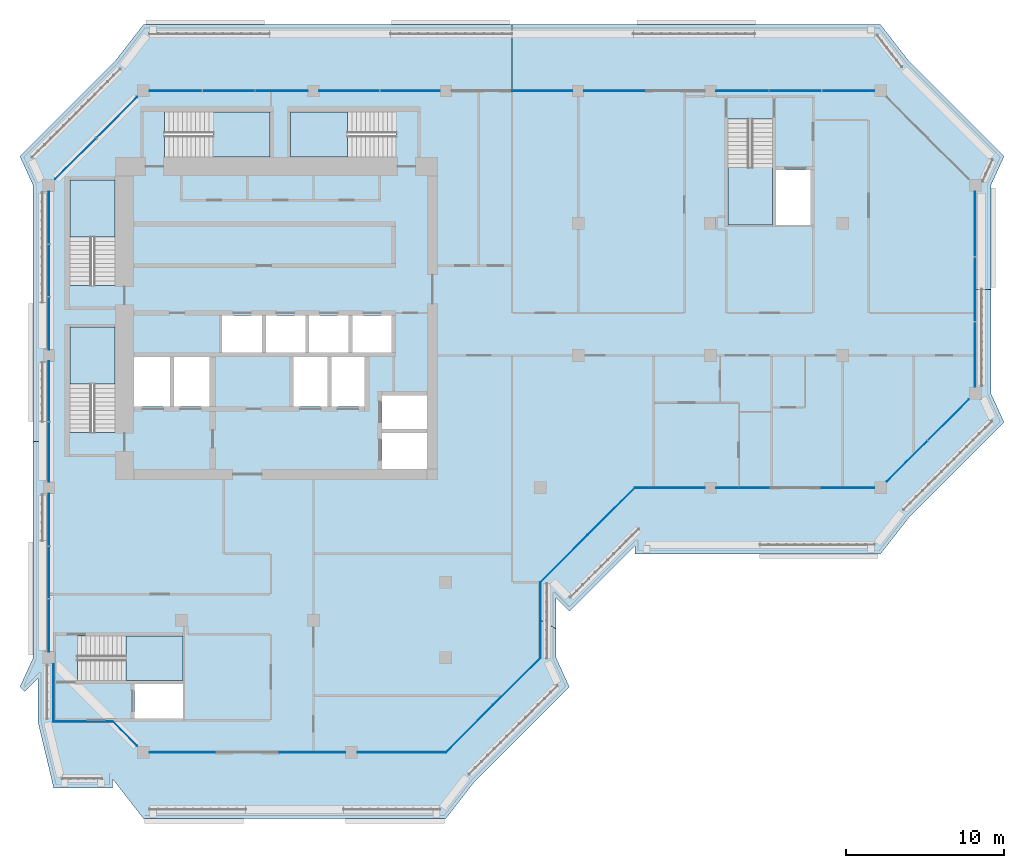
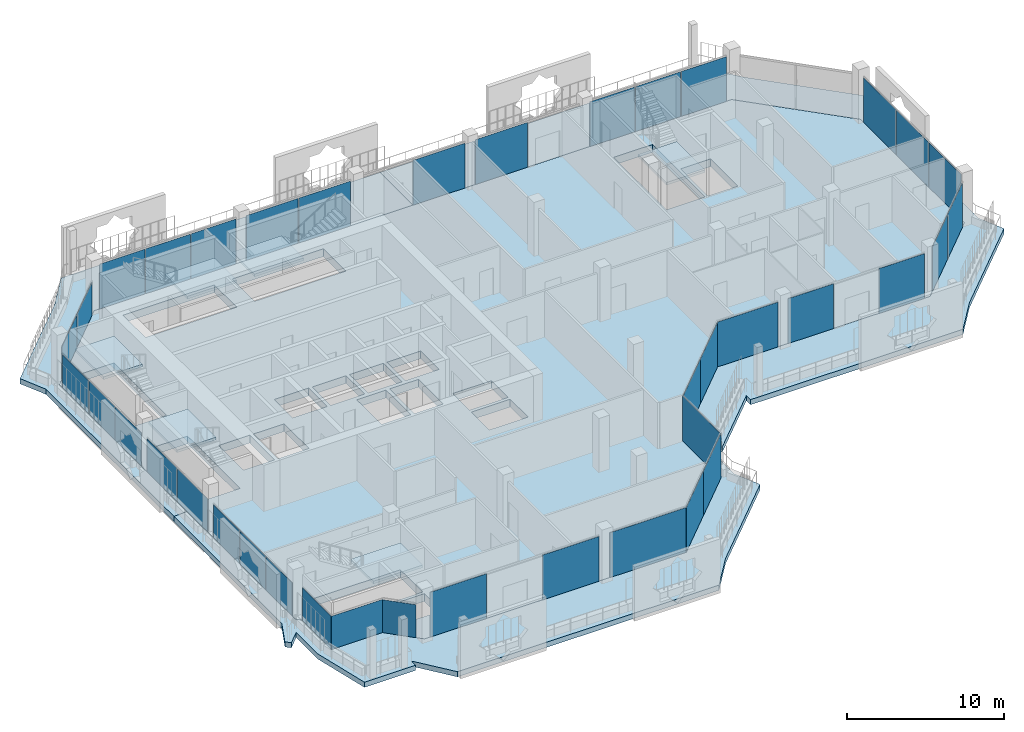
# One storey, part 9 of 21: 39 plates, 11 slabs, 19 elements without a shape of their own.
"""IFC4 building model written with IfcOpenShell, lengths in metres."""

import ifcopenshell
import ifcopenshell.guid

model = None  # the IFC model being written
_history = None  # IfcOwnerHistory: only IFC2X3 demands one
_inside = {}  # id of a spatial element -> (the spatial element, [elements in it])
_under = {}  # id of a project, library or spatial element -> (it, [spatial elements below it])
_declared = {}  # id of a project -> (the project, [libraries it declares])
_typed = {}  # id of a type object -> (the type object, [elements of that type])
_made_of = {}  # id of a material, layer set ... -> (it, [elements and type objects made of it])


def new_model(schema):
    """Start an empty IFC model of exactly this schema.

    Asked for "IFC4X3", IfcOpenShell would pick the latest addendum, in which some entities
    have other attributes; the version numbers below select the first issue.
    IFC2X3 requires an IfcOwnerHistory on every rooted entity: one is made here for all.
    """
    global model, _history
    if schema == "IFC4X3":
        model = ifcopenshell.file(schema_version=(4, 3, 0, 0))
    else:
        model = ifcopenshell.file(schema=schema)
    _inside.clear()
    _under.clear()
    _declared.clear()
    _typed.clear()
    _made_of.clear()
    _history = None
    if model.schema == "IFC2X3":
        org = make("IfcOrganization", Name="unknown")
        user = make(
            "IfcPersonAndOrganization",
            ThePerson=make("IfcPerson", FamilyName="unknown"),
            TheOrganization=org,
        )
        app = make(
            "IfcApplication",
            ApplicationDeveloper=org,
            Version="unknown",
            ApplicationFullName="unknown",
            ApplicationIdentifier="unknown",
        )
        _history = make(
            "IfcOwnerHistory",
            OwningUser=user,
            OwningApplication=app,
            ChangeAction="ADDED",
            CreationDate=0,
        )
    return model


def make(cls, **values):
    """One entity of the class cls with the attributes given. An attribute that is None is left unset."""
    return model.create_entity(
        cls, **{name: value for name, value in values.items() if value is not None}
    )


def rooted(cls, **values):
    """An entity with a GlobalId (a new one), such as an element, a storey or a relation."""
    return make(cls, GlobalId=ifcopenshell.guid.new(), OwnerHistory=_history, **values)


def si_unit(unit_type, name, prefix=None):
    """IfcSIUnit, for example si_unit("LENGTHUNIT", "METRE", prefix="MILLI")."""
    return make("IfcSIUnit", UnitType=unit_type, Prefix=prefix, Name=name)


def assignment(units):
    """IfcUnitAssignment: the units of a project."""
    return None if units is None else make("IfcUnitAssignment", Units=units)


def point(xyz):
    """IfcCartesianPoint."""
    return None if xyz is None else make("IfcCartesianPoint", Coordinates=xyz)


def direction(xyz):
    """IfcDirection."""
    return None if xyz is None else make("IfcDirection", DirectionRatios=xyz)


def frame(location, z_axis=None, x_axis=None):
    """IfcAxis2Placement3D, a coordinate frame: its origin and axes. An axis left out is left unset."""
    return make(
        "IfcAxis2Placement3D",
        Location=point(location),
        Axis=direction(z_axis),
        RefDirection=direction(x_axis),
    )


def frame_2d(location, x_axis=None):
    """IfcAxis2Placement2D, a coordinate frame in the plane: its origin and x axis."""
    return make(
        "IfcAxis2Placement2D", Location=point(location), RefDirection=direction(x_axis)
    )


def origin():
    """The frame at (0, 0, 0) with its axes left unset."""
    return frame((0.0, 0.0, 0.0))


def origin_2d():
    """The frame at (0, 0) in the plane with its x axis left unset."""
    return frame_2d((0.0, 0.0))


def place(relative_to, where):
    """IfcLocalPlacement: puts the frame where relative to a parent placement (None: the world)."""
    return make(
        "IfcLocalPlacement", PlacementRelTo=relative_to, RelativePlacement=where
    )


def context(
    kind, dimensions, precision=None, world=None, true_north=None, identifier=None
):
    """IfcGeometricRepresentationContext, for example the 3D "Model" context."""
    return make(
        "IfcGeometricRepresentationContext",
        ContextIdentifier=identifier,
        ContextType=kind,
        CoordinateSpaceDimension=dimensions,
        Precision=precision,
        WorldCoordinateSystem=world,
        TrueNorth=true_north,
    )


def subcontext(parent, identifier, kind, view, scale=None):
    """IfcGeometricRepresentationSubContext, for example "Body" below "Model"."""
    return make(
        "IfcGeometricRepresentationSubContext",
        ContextIdentifier=identifier,
        ContextType=kind,
        ParentContext=parent,
        TargetScale=scale,
        TargetView=view,
    )


def project(units=None, contexts=None):
    """IfcProject with its units and contexts."""
    return rooted(
        "IfcProject",
        Name="project",
        RepresentationContexts=contexts,
        UnitsInContext=assignment(units),
    )


def spatial(cls, under=None, at=None, **own):
    """A site, building, storey or space (cls), placed at a placement, below another one or the project."""
    s = rooted(cls, ObjectPlacement=at, **own)
    if under is not None:
        _under.setdefault(under.id(), (under, []))[1].append(s)
    return s


def polyline(points):
    """IfcPolyline through the points."""
    return make("IfcPolyline", Points=[point(p) for p in points])


def profile(cls, at=None, kind="AREA", **sizes):
    """A parametric profile (cls). Its sizes go by their IFC names, for example OverallWidth=200.0."""
    return make(cls, ProfileType=kind, Position=at, **sizes)


def rectangle(**sizes):
    """IfcRectangleProfileDef."""
    return profile("IfcRectangleProfileDef", **sizes)


def outline(outer, holes=None, kind="AREA"):
    """IfcArbitraryClosedProfileDef: a profile drawn as a closed curve; with holes, ...WithVoids."""
    if holes is None:
        return make("IfcArbitraryClosedProfileDef", ProfileType=kind, OuterCurve=outer)
    return make(
        "IfcArbitraryProfileDefWithVoids",
        ProfileType=kind,
        OuterCurve=outer,
        InnerCurves=holes,
    )


def extrude(swept, where, along, depth):
    """IfcExtrudedAreaSolid: the profile swept, set in the frame where, extruded along a direction by depth."""
    return make(
        "IfcExtrudedAreaSolid",
        SweptArea=swept,
        Position=where,
        ExtrudedDirection=direction(along),
        Depth=depth,
    )


def shape(context_of_items, identifier, shape_type, items):
    """IfcShapeRepresentation: the items that make up one representation, for example the "Body"."""
    return make(
        "IfcShapeRepresentation",
        ContextOfItems=context_of_items,
        RepresentationIdentifier=identifier,
        RepresentationType=shape_type,
        Items=items,
    )


def material(Name=None, Category=None):
    """IfcMaterial."""
    return make("IfcMaterial", Name=Name, Category=Category)


def layer(
    of_material, thickness, ventilated=None, Name=None, Category=None, Priority=None
):
    """IfcMaterialLayer: one layer of a wall or slab, of a material (None: an air gap)."""
    return make(
        "IfcMaterialLayer",
        Material=of_material,
        LayerThickness=thickness,
        IsVentilated=ventilated,
        Name=Name,
        Category=Category,
        Priority=Priority,
    )


def layer_set(layers, Name=None):
    """IfcMaterialLayerSet."""
    return make("IfcMaterialLayerSet", MaterialLayers=layers, LayerSetName=Name)


def made_of(thing, what):
    """Note that an element or type object is made of a material, layer set ...; save() writes the relation."""
    if what is not None:
        _made_of.setdefault(what.id(), (what, []))[1].append(thing)
    return thing


def type_object(cls, material=None, **own):
    """A type object (cls), such as IfcWallType, which elements share."""
    return made_of(rooted(cls, **own), material)


def element(
    cls,
    number,
    at=None,
    inside=None,
    cuts=None,
    type_object=None,
    material=None,
    context=None,
    identifier="Body",
    shape_type=None,
    held_by="IfcProductDefinitionShape",
    body=None,
    shapes=None,
    **own,
):
    """One element of the class cls, such as IfcWall. Its Tag is "e" and its number.

    at: its placement. inside: the storey or other place that contains it. cuts: it is an
    opening in that element (IfcRelVoidsElement). A single representation is given by context,
    identifier, shape_type and body (its items); several are given by shapes. held_by: the class
    of the entity that holds the representations. save() writes the other relations.
    """
    e = rooted(cls, Tag="e%d" % number, ObjectPlacement=at, **own)
    if body is not None:
        shapes = [shape(context, identifier, shape_type, body)]
    if shapes is not None:
        e.Representation = make(held_by, Representations=shapes)
    if inside is not None:
        _inside.setdefault(inside.id(), (inside, []))[1].append(e)
    if cuts is not None:
        rooted(
            "IfcRelVoidsElement", RelatingBuildingElement=cuts, RelatedOpeningElement=e
        )
    if type_object is not None:
        _typed.setdefault(type_object.id(), (type_object, []))[1].append(e)
    return made_of(e, material)


def aggregate(whole, parts):
    """IfcRelAggregates: a whole, such as a stair, and the parts it consists of."""
    return rooted("IfcRelAggregates", RelatingObject=whole, RelatedObjects=parts)


def save(model, path):
    """Write the relations noted so far, then the file.

    IfcRelAggregates (storeys below a building ...), IfcRelContainedInSpatialStructure (elements
    in a storey), IfcRelDefinesByType, IfcRelAssociatesMaterial and IfcRelDeclares: one each for
    every whole, place, type object, material and project.
    """
    for whole, parts in _under.values():
        aggregate(whole, parts)
    for where, things in _inside.values():
        rooted(
            "IfcRelContainedInSpatialStructure",
            RelatedElements=things,
            RelatingStructure=where,
        )
    for kind, things in _typed.values():
        rooted("IfcRelDefinesByType", RelatedObjects=things, RelatingType=kind)
    for what, things in _made_of.values():
        rooted("IfcRelAssociatesMaterial", RelatedObjects=things, RelatingMaterial=what)
    for by, libraries in _declared.values():
        rooted("IfcRelDeclares", RelatingContext=by, RelatedDefinitions=libraries)
    model.write(path)


model = new_model("IFC4")

# Units and contexts
model_context = context("Model", 3, precision=1e-05, world=origin(), true_north=direction((0.0, 1.0)))
body_context = subcontext(model_context, "Body", "Model", "MODEL_VIEW")
ifc_project = project(units=[si_unit("LENGTHUNIT", "METRE"), si_unit("AREAUNIT", "SQUARE_METRE"), si_unit("VOLUMEUNIT", "CUBIC_METRE"), si_unit("PLANEANGLEUNIT", "RADIAN"), si_unit("MASSUNIT", "GRAM", prefix="KILO")], contexts=[model_context])

# Site, building, storey
site_placement = place(None, origin())
site = spatial("IfcSite", under=ifc_project, at=site_placement, CompositionType="ELEMENT")
building_placement = place(site_placement, origin())
building = spatial("IfcBuilding", under=site, at=building_placement, Name="Kawkab Arch Medical Tower", CompositionType="ELEMENT")
storey_placement = place(building_placement, frame((0.0, 0.0, 315.39990234375)))
storey = spatial("IfcBuildingStorey", under=building, at=storey_placement, Name="L73", CompositionType="ELEMENT", Elevation=315.39990234375)

# Curtain wall, plates
ifc_material_1 = material(Name="Bronze anodised aluminium curtain wall frame", Category="aluminium")
ifc_layer_1 = layer(ifc_material_1, 0.159912109375)
ifc_layer_set_1 = layer_set([ifc_layer_1], Name="Bronze anodised aluminium curtain wall frame")
curtain_wall_type_1 = type_object("IfcCurtainWallType", Name="CW1 ward curtain wall", PredefinedType="NOTDEFINED", material=ifc_layer_set_1)
placement_1 = place(storey_placement, origin())
curtain_wall_1 = element("IfcCurtainWall", 1, at=placement_1, inside=storey, type_object=curtain_wall_type_1, Name="CW1 Ward curtain wall R02", PredefinedType="NOTDEFINED")
ifc_material_2 = material(Name="Tinted insulating glass, bronze low-e coating", Category="glass")
ifc_layer_2 = layer(ifc_material_2, 0.031982421875)
ifc_layer_set_2 = layer_set([ifc_layer_2], Name="Tinted insulating glass, bronze low-e coating")
plate_type_1 = type_object("IfcPlateType", Name="CW1 glazing unit 32", PredefinedType="CURTAIN_PANEL", material=ifc_layer_set_2)
plate_1_placement = place(storey_placement, frame((0.0, -8.055908203125, 0.0), z_axis=(0.0, 0.0, 1.0), x_axis=(0.0, -1.0, 0.0)))
plate_1 = element("IfcPlate", 2, at=plate_1_placement, type_object=plate_type_1, Name="CW1 glazing unit 1.1", PredefinedType="CURTAIN_PANEL", context=body_context, shape_type="SweptSolid", body=[
    extrude(rectangle(XDim=3.311767578125, YDim=0.031982421875, at=origin_2d()), origin(), (0.0, 0.0, 1.0), 2.580078125),
])
plate_2_placement = place(storey_placement, frame((0.0, -11.41259765625, 0.0), z_axis=(0.0, 0.0, 1.0), x_axis=(0.0, -1.0, 0.0)))
plate_2 = element("IfcPlate", 3, at=plate_2_placement, type_object=plate_type_1, Name="CW1 glazing unit 1.2", PredefinedType="CURTAIN_PANEL", context=body_context, shape_type="SweptSolid", body=[
    extrude(rectangle(XDim=3.28173828125, YDim=0.031982421875, at=origin_2d()), origin(), (0.0, 0.0, 1.0), 2.580078125),
])
plate_3_placement = place(storey_placement, frame((0.0, -14.769287109375, 0.0), z_axis=(0.0, 0.0, 1.0), x_axis=(0.0, -1.0, 0.0)))
plate_3 = element("IfcPlate", 4, at=plate_3_placement, type_object=plate_type_1, Name="CW1 glazing unit 1.3", PredefinedType="CURTAIN_PANEL", context=body_context, shape_type="SweptSolid", body=[
    extrude(rectangle(XDim=3.311767578125, YDim=0.031982421875, at=origin_2d()), origin(), (0.0, 0.0, 1.0), 2.580078125),
])
plate_4_placement = place(storey_placement, frame((0.0, -19.072509765625, 0.0), z_axis=(0.0, 0.0, 1.0), x_axis=(0.0, -1.0, 0.0)))
plate_4 = element("IfcPlate", 5, at=plate_4_placement, type_object=plate_type_1, Name="CW1 glazing unit 2.1", PredefinedType="CURTAIN_PANEL", context=body_context, shape_type="SweptSolid", body=[
    extrude(rectangle(XDim=3.794921875, YDim=0.031982421875, at=origin_2d()), origin(), (0.0, 0.0, 1.0), 2.580078125),
])
plate_5_placement = place(storey_placement, frame((0.0, -22.927490234375, 0.0), z_axis=(0.0, 0.0, 1.0), x_axis=(0.0, -1.0, 0.0)))
plate_5 = element("IfcPlate", 6, at=plate_5_placement, type_object=plate_type_1, Name="CW1 glazing unit 2.2", PredefinedType="CURTAIN_PANEL", context=body_context, shape_type="SweptSolid", body=[
    extrude(rectangle(XDim=3.794921875, YDim=0.031982421875, at=origin_2d()), origin(), (0.0, 0.0, 1.0), 2.580078125),
])
plate_6_placement = place(storey_placement, frame((0.0, -27.230712890625, 0.0), z_axis=(0.0, 0.0, 1.0), x_axis=(0.0, -1.0, 0.0)))
plate_6 = element("IfcPlate", 7, at=plate_6_placement, type_object=plate_type_1, Name="CW1 glazing unit 3.1", PredefinedType="CURTAIN_PANEL", context=body_context, shape_type="SweptSolid", body=[
    extrude(rectangle(XDim=3.311767578125, YDim=0.031982421875, at=origin_2d()), origin(), (0.0, 0.0, 1.0), 2.580078125),
])
plate_7_placement = place(storey_placement, frame((0.0, -30.58740234375, 0.0), z_axis=(0.0, 0.0, 1.0), x_axis=(0.0, -1.0, 0.0)))
plate_7 = element("IfcPlate", 8, at=plate_7_placement, type_object=plate_type_1, Name="CW1 glazing unit 3.2", PredefinedType="CURTAIN_PANEL", context=body_context, shape_type="SweptSolid", body=[
    extrude(rectangle(XDim=3.28173828125, YDim=0.031982421875, at=origin_2d()), origin(), (0.0, 0.0, 1.0), 2.580078125),
])
plate_8_placement = place(storey_placement, frame((0.0, -33.944091796875, 0.0), z_axis=(0.0, 0.0, 1.0), x_axis=(0.0, -1.0, 0.0)))
plate_8 = element("IfcPlate", 9, at=plate_8_placement, type_object=plate_type_1, Name="CW1 glazing unit 3.3", PredefinedType="CURTAIN_PANEL", context=body_context, shape_type="SweptSolid", body=[
    extrude(rectangle(XDim=3.311767578125, YDim=0.031982421875, at=origin_2d()), origin(), (0.0, 0.0, 1.0), 2.580078125),
])
aggregate(curtain_wall_1, [plate_1, plate_2, plate_3, plate_4, plate_5, plate_6, plate_7, plate_8])

# Curtain wall, plate
curtain_wall_2 = element("IfcCurtainWall", 10, at=placement_1, inside=storey, type_object=curtain_wall_type_1, Name="CW1 Ward curtain wall R04", PredefinedType="NOTDEFINED")
plate_9_placement = place(storey_placement, frame((0.300048828125, -38.22509765625, 0.0), z_axis=(0.0, 0.0, 1.0), x_axis=(0.0, -1.0, 0.0)))
plate_9 = element("IfcPlate", 11, at=plate_9_placement, type_object=plate_type_1, Name="CW1 glazing unit 1.1", PredefinedType="CURTAIN_PANEL", context=body_context, shape_type="SweptSolid", body=[
    extrude(rectangle(XDim=3.64990234375, YDim=0.031982421875, at=origin_2d()), origin(), (0.0, 0.0, 1.0), 2.580078125),
])
aggregate(curtain_wall_2, [plate_9])

curtain_wall_3 = element("IfcCurtainWall", 12, at=placement_1, inside=storey, type_object=curtain_wall_type_1, Name="CW1 Ward curtain wall R05", PredefinedType="NOTDEFINED")
plate_10_placement = place(storey_placement, frame((2.175048828125, -40.050048828125, 0.0), z_axis=(0.0, 0.0, 1.0), x_axis=(1.0, 0.0, 0.0)))
plate_10 = element("IfcPlate", 13, at=plate_10_placement, type_object=plate_type_1, Name="CW1 glazing unit 1.1", PredefinedType="CURTAIN_PANEL", context=body_context, shape_type="SweptSolid", body=[
    extrude(rectangle(XDim=3.75, YDim=0.031982421875, at=origin_2d()), origin(), (0.0, 0.0, 1.0), 2.580078125),
])
aggregate(curtain_wall_3, [plate_10])

# Curtain wall, plates
curtain_wall_4 = element("IfcCurtainWall", 14, at=placement_1, inside=storey, type_object=curtain_wall_type_1, Name="CW1 Ward curtain wall R07", PredefinedType="NOTDEFINED")
plate_11_placement = place(storey_placement, frame((8.466552734375, -42.0, 0.0), z_axis=(0.0, 0.0, 1.0), x_axis=(1.0, 0.0, 0.0)))
plate_11 = element("IfcPlate", 15, at=plate_11_placement, type_object=plate_type_1, Name="CW1 glazing unit 1.1", PredefinedType="CURTAIN_PANEL", context=body_context, shape_type="SweptSolid", body=[
    extrude(rectangle(XDim=4.13330078125, YDim=0.031982421875, at=origin_2d()), origin(), (0.0, 0.0, 1.0), 3.47998046875),
])
plate_12_placement = place(storey_placement, frame((16.7333984375, -42.0, 0.0), z_axis=(0.0, 0.0, 1.0), x_axis=(1.0, 0.0, 0.0)))
plate_12 = element("IfcPlate", 16, at=plate_12_placement, type_object=plate_type_1, Name="CW1 glazing unit 1.3", PredefinedType="CURTAIN_PANEL", context=body_context, shape_type="SweptSolid", body=[
    extrude(rectangle(XDim=4.13330078125, YDim=0.031982421875, at=origin_2d()), origin(), (0.0, 0.0, 1.0), 3.47998046875),
])
plate_13_placement = place(storey_placement, frame((22.39990234375, -42.0, 0.0), z_axis=(0.0, 0.0, 1.0), x_axis=(1.0, 0.0, 0.0)))
plate_13 = element("IfcPlate", 17, at=plate_13_placement, type_object=plate_type_1, Name="CW1 glazing unit 2.1", PredefinedType="CURTAIN_PANEL", context=body_context, shape_type="SweptSolid", body=[
    extrude(rectangle(XDim=5.60009765625, YDim=0.031982421875, at=origin_2d()), origin(), (0.0, 0.0, 1.0), 3.47998046875),
])
aggregate(curtain_wall_4, [plate_11, plate_12, plate_13])

# Curtain wall, plate
curtain_wall_5 = element("IfcCurtainWall", 18, at=placement_1, inside=storey, type_object=curtain_wall_type_1, Name="CW1 Ward curtain wall R09", PredefinedType="NOTDEFINED")
plate_14_placement = place(storey_placement, frame((31.199951171875, -33.60009765625, 0.0), z_axis=(0.0, 0.0, 1.0), x_axis=(0.0, 1.0, 0.0)))
plate_14 = element("IfcPlate", 19, at=plate_14_placement, type_object=plate_type_1, Name="CW1 glazing unit 1.1", PredefinedType="CURTAIN_PANEL", context=body_context, shape_type="SweptSolid", body=[
    extrude(rectangle(XDim=4.800048828125, YDim=0.031982421875, at=origin_2d()), origin(), (0.0, 0.0, 1.0), 3.47998046875),
])
aggregate(curtain_wall_5, [plate_14])

# Curtain wall, plates
curtain_wall_6 = element("IfcCurtainWall", 20, at=placement_1, inside=storey, type_object=curtain_wall_type_1, Name="CW1 Ward curtain wall R11", PredefinedType="NOTDEFINED")
plate_15_placement = place(storey_placement, frame((39.41259765625, -25.199951171875, 0.0), z_axis=(0.0, 0.0, 1.0), x_axis=(1.0, 0.0, 0.0)))
plate_15 = element("IfcPlate", 21, at=plate_15_placement, type_object=plate_type_1, Name="CW1 glazing unit 1.1", PredefinedType="CURTAIN_PANEL", context=body_context, shape_type="SweptSolid", body=[
    extrude(rectangle(XDim=4.425048828125, YDim=0.031982421875, at=origin_2d()), origin(), (0.0, 0.0, 1.0), 3.47998046875),
])
plate_16_placement = place(storey_placement, frame((44.0458984375, -25.199951171875, 0.0), z_axis=(0.0, 0.0, 1.0), x_axis=(1.0, 0.0, 0.0)))
plate_16 = element("IfcPlate", 22, at=plate_16_placement, type_object=plate_type_1, Name="CW1 glazing unit 2.1", PredefinedType="CURTAIN_PANEL", context=body_context, shape_type="SweptSolid", body=[
    extrude(rectangle(XDim=3.341552734375, YDim=0.031982421875, at=origin_2d()), origin(), (0.0, 0.0, 1.0), 3.47998046875),
])
plate_17_placement = place(storey_placement, frame((50.729248046875, -25.199951171875, 0.0), z_axis=(0.0, 0.0, 1.0), x_axis=(1.0, 0.0, 0.0)))
plate_17 = element("IfcPlate", 23, at=plate_17_placement, type_object=plate_type_1, Name="CW1 glazing unit 2.3", PredefinedType="CURTAIN_PANEL", context=body_context, shape_type="SweptSolid", body=[
    extrude(rectangle(XDim=3.341552734375, YDim=0.031982421875, at=origin_2d()), origin(), (0.0, 0.0, 1.0), 3.47998046875),
])
aggregate(curtain_wall_6, [plate_15, plate_16, plate_17])

curtain_wall_7 = element("IfcCurtainWall", 24, at=placement_1, inside=storey, type_object=curtain_wall_type_1, Name="CW1 Ward curtain wall R13", PredefinedType="NOTDEFINED")
plate_18_placement = place(storey_placement, frame((58.800048828125, -16.748291015625, 0.0), z_axis=(0.0, 0.0, 1.0), x_axis=(0.0, 1.0, 0.0)))
plate_18 = element("IfcPlate", 25, at=plate_18_placement, type_object=plate_type_1, Name="CW1 glazing unit 1.1", PredefinedType="CURTAIN_PANEL", context=body_context, shape_type="SweptSolid", body=[
    extrude(rectangle(XDim=4.103271484375, YDim=0.031982421875, at=origin_2d()), origin(), (0.0, 0.0, 1.0), 3.47998046875),
])
plate_19_placement = place(storey_placement, frame((58.800048828125, -12.60009765625, 0.0), z_axis=(0.0, 0.0, 1.0), x_axis=(0.0, 1.0, 0.0)))
plate_19 = element("IfcPlate", 26, at=plate_19_placement, type_object=plate_type_1, Name="CW1 glazing unit 1.2", PredefinedType="CURTAIN_PANEL", context=body_context, shape_type="SweptSolid", body=[
    extrude(rectangle(XDim=4.0732421875, YDim=0.031982421875, at=origin_2d()), origin(), (0.0, 0.0, 1.0), 3.47998046875),
])
plate_20_placement = place(storey_placement, frame((58.800048828125, -8.45166015625, 0.0), z_axis=(0.0, 0.0, 1.0), x_axis=(0.0, 1.0, 0.0)))
plate_20 = element("IfcPlate", 27, at=plate_20_placement, type_object=plate_type_1, Name="CW1 glazing unit 1.3", PredefinedType="CURTAIN_PANEL", context=body_context, shape_type="SweptSolid", body=[
    extrude(rectangle(XDim=4.103271484375, YDim=0.031982421875, at=origin_2d()), origin(), (0.0, 0.0, 1.0), 3.47998046875),
])
aggregate(curtain_wall_7, [plate_18, plate_19, plate_20])

curtain_wall_8 = element("IfcCurtainWall", 28, at=placement_1, inside=storey, type_object=curtain_wall_type_1, Name="CW1 Ward curtain wall R15", PredefinedType="NOTDEFINED")
plate_21_placement = place(storey_placement, frame((50.744140625, 0.0, 0.0), z_axis=(0.0, 0.0, 1.0), x_axis=(-1.0, 0.0, 0.0)))
plate_21 = element("IfcPlate", 29, at=plate_21_placement, type_object=plate_type_1, Name="CW1 glazing unit 1.1", PredefinedType="CURTAIN_PANEL", context=body_context, shape_type="SweptSolid", body=[
    extrude(rectangle(XDim=3.311767578125, YDim=0.031982421875, at=origin_2d()), origin(), (0.0, 0.0, 1.0), 3.47998046875),
])
plate_22_placement = place(storey_placement, frame((47.387451171875, 0.0, 0.0), z_axis=(0.0, 0.0, 1.0), x_axis=(-1.0, 0.0, 0.0)))
plate_22 = element("IfcPlate", 30, at=plate_22_placement, type_object=plate_type_1, Name="CW1 glazing unit 1.2", PredefinedType="CURTAIN_PANEL", context=body_context, shape_type="SweptSolid", body=[
    extrude(rectangle(XDim=3.28173828125, YDim=0.031982421875, at=origin_2d()), origin(), (0.0, 0.0, 1.0), 3.47998046875),
])
plate_23_placement = place(storey_placement, frame((44.03076171875, 0.0, 0.0), z_axis=(0.0, 0.0, 1.0), x_axis=(-1.0, 0.0, 0.0)))
plate_23 = element("IfcPlate", 31, at=plate_23_placement, type_object=plate_type_1, Name="CW1 glazing unit 1.3", PredefinedType="CURTAIN_PANEL", context=body_context, shape_type="SweptSolid", body=[
    extrude(rectangle(XDim=3.311767578125, YDim=0.031982421875, at=origin_2d()), origin(), (0.0, 0.0, 1.0), 3.47998046875),
])
plate_24_placement = place(storey_placement, frame((35.887451171875, 0.0, 0.0), z_axis=(0.0, 0.0, 1.0), x_axis=(-1.0, 0.0, 0.0)))
plate_24 = element("IfcPlate", 32, at=plate_24_placement, type_object=plate_type_1, Name="CW1 glazing unit 2.2", PredefinedType="CURTAIN_PANEL", context=body_context, shape_type="SweptSolid", body=[
    extrude(rectangle(XDim=3.824951171875, YDim=0.031982421875, at=origin_2d()), origin(), (0.0, 0.0, 1.0), 3.47998046875),
])
plate_25_placement = place(storey_placement, frame((31.3125, 0.0, 0.0), z_axis=(0.0, 0.0, 1.0), x_axis=(-1.0, 0.0, 0.0)))
plate_25 = element("IfcPlate", 33, at=plate_25_placement, type_object=plate_type_1, Name="CW1 glazing unit 3.1", PredefinedType="CURTAIN_PANEL", context=body_context, shape_type="SweptSolid", body=[
    extrude(rectangle(XDim=3.824951171875, YDim=0.031982421875, at=origin_2d()), origin(), (0.0, 0.0, 1.0), 3.47998046875),
])
plate_26_placement = place(storey_placement, frame((22.927490234375, 0.0, 0.0), z_axis=(0.0, 0.0, 1.0), x_axis=(-1.0, 0.0, 0.0)))
plate_26 = element("IfcPlate", 34, at=plate_26_placement, type_object=plate_type_1, Name="CW1 glazing unit 4.1", PredefinedType="CURTAIN_PANEL", context=body_context, shape_type="SweptSolid", body=[
    extrude(rectangle(XDim=3.794921875, YDim=0.031982421875, at=origin_2d()), origin(), (0.0, 0.0, 1.0), 3.47998046875),
])
plate_27_placement = place(storey_placement, frame((19.072509765625, 0.0, 0.0), z_axis=(0.0, 0.0, 1.0), x_axis=(-1.0, 0.0, 0.0)))
plate_27 = element("IfcPlate", 35, at=plate_27_placement, type_object=plate_type_1, Name="CW1 glazing unit 4.2", PredefinedType="CURTAIN_PANEL", context=body_context, shape_type="SweptSolid", body=[
    extrude(rectangle(XDim=3.794921875, YDim=0.031982421875, at=origin_2d()), origin(), (0.0, 0.0, 1.0), 3.47998046875),
])
plate_28_placement = place(storey_placement, frame((14.769287109375, 0.0, 0.0), z_axis=(0.0, 0.0, 1.0), x_axis=(-1.0, 0.0, 0.0)))
plate_28 = element("IfcPlate", 36, at=plate_28_placement, type_object=plate_type_1, Name="CW1 glazing unit 5.1", PredefinedType="CURTAIN_PANEL", context=body_context, shape_type="SweptSolid", body=[
    extrude(rectangle(XDim=3.311767578125, YDim=0.031982421875, at=origin_2d()), origin(), (0.0, 0.0, 1.0), 3.47998046875),
])
plate_29_placement = place(storey_placement, frame((11.41259765625, 0.0, 0.0), z_axis=(0.0, 0.0, 1.0), x_axis=(-1.0, 0.0, 0.0)))
plate_29 = element("IfcPlate", 37, at=plate_29_placement, type_object=plate_type_1, Name="CW1 glazing unit 5.2", PredefinedType="CURTAIN_PANEL", context=body_context, shape_type="SweptSolid", body=[
    extrude(rectangle(XDim=3.28173828125, YDim=0.031982421875, at=origin_2d()), origin(), (0.0, 0.0, 1.0), 3.47998046875),
])
plate_30_placement = place(storey_placement, frame((8.055908203125, 0.0, 0.0), z_axis=(0.0, 0.0, 1.0), x_axis=(-1.0, 0.0, 0.0)))
plate_30 = element("IfcPlate", 38, at=plate_30_placement, type_object=plate_type_1, Name="CW1 glazing unit 5.3", PredefinedType="CURTAIN_PANEL", context=body_context, shape_type="SweptSolid", body=[
    extrude(rectangle(XDim=3.311767578125, YDim=0.031982421875, at=origin_2d()), origin(), (0.0, 0.0, 1.0), 3.47998046875),
])
aggregate(curtain_wall_8, [plate_21, plate_22, plate_23, plate_24, plate_25, plate_26, plate_27, plate_28, plate_29, plate_30])

ifc_material_3 = material(Name="Bronze anodised aluminium curtain wall frame", Category="aluminium")
ifc_layer_3 = layer(ifc_material_3, 0.159912109375)
ifc_layer_set_3 = layer_set([ifc_layer_3], Name="Bronze anodised aluminium curtain wall frame")
curtain_wall_type_2 = type_object("IfcCurtainWallType", Name="CW2 chamfer curtain wall", PredefinedType="NOTDEFINED", material=ifc_layer_set_3)
curtain_wall_9 = element("IfcCurtainWall", 39, at=placement_1, inside=storey, type_object=curtain_wall_type_2, Name="CW2 Chamfer curtain wall R01", PredefinedType="NOTDEFINED")
ifc_material_4 = material(Name="Tinted insulating glass, bronze low-e coating", Category="glass")
ifc_layer_4 = layer(ifc_material_4, 0.031982421875)
ifc_layer_set_4 = layer_set([ifc_layer_4], Name="Tinted insulating glass, bronze low-e coating")
plate_type_2 = type_object("IfcPlateType", Name="CW2 glazing unit 32", PredefinedType="CURTAIN_PANEL", material=ifc_layer_set_4)
plate_31_placement = place(storey_placement, frame((4.310546875, -1.689453125, 0.0), z_axis=(0.0, 0.0, 1.0), x_axis=(-0.707106781187, -0.707106781187, 0.0)))
plate_31 = element("IfcPlate", 40, at=plate_31_placement, type_object=plate_type_2, Name="CW2 glazing unit 1.1", PredefinedType="CURTAIN_PANEL", context=body_context, shape_type="SweptSolid", body=[
    extrude(rectangle(XDim=3.64697265625, YDim=0.031982421875, at=origin_2d()), origin(), (0.0, 0.0, 1.0), 2.56005859375),
])
plate_32_placement = place(storey_placement, frame((1.689453125, -4.310546875, 0.0), z_axis=(0.0, 0.0, 1.0), x_axis=(-0.707106781187, -0.707106781187, 0.0)))
plate_32 = element("IfcPlate", 41, at=plate_32_placement, type_object=plate_type_2, Name="CW2 glazing unit 1.2", PredefinedType="CURTAIN_PANEL", context=body_context, shape_type="SweptSolid", body=[
    extrude(rectangle(XDim=3.64697265625, YDim=0.031982421875, at=origin_2d()), origin(), (0.0, 0.0, 1.0), 2.56005859375),
])
aggregate(curtain_wall_9, [plate_31, plate_32])

# Curtain wall, plate
curtain_wall_10 = element("IfcCurtainWall", 42, at=placement_1, inside=storey, type_object=curtain_wall_type_2, Name="CW2 Chamfer curtain wall R06", PredefinedType="NOTDEFINED")
plate_33_placement = place(storey_placement, frame((4.824951171875, -40.824951171875, 0.0), z_axis=(0.0, 0.0, 1.0), x_axis=(0.707106781187, -0.707106781187, 0.0)))
plate_33 = element("IfcPlate", 43, at=plate_33_placement, type_object=plate_type_2, Name="CW2 glazing unit 1.1", PredefinedType="CURTAIN_PANEL", context=body_context, shape_type="SweptSolid", body=[
    extrude(rectangle(XDim=2.192138671875, YDim=0.031982421875, at=origin_2d()), origin(), (0.0, 0.0, 1.0), 2.56005859375),
])
aggregate(curtain_wall_10, [plate_33])

# Curtain wall, plates
curtain_wall_11 = element("IfcCurtainWall", 44, at=placement_1, inside=storey, type_object=curtain_wall_type_2, Name="CW2 Chamfer curtain wall R08", PredefinedType="NOTDEFINED")
plate_34_placement = place(storey_placement, frame((26.699951171875, -40.5, 0.0), z_axis=(0.0, 0.0, 1.0), x_axis=(0.707106781187, 0.707106781187, 0.0)))
plate_34 = element("IfcPlate", 45, at=plate_34_placement, type_object=plate_type_2, Name="CW2 glazing unit 1.1", PredefinedType="CURTAIN_PANEL", context=body_context, shape_type="SweptSolid", body=[
    extrude(rectangle(XDim=4.24267578125, YDim=0.031982421875, at=origin_2d()), origin(), (0.0, 0.0, 1.0), 3.4599609375),
])
plate_35_placement = place(storey_placement, frame((29.699951171875, -37.5, 0.0), z_axis=(0.0, 0.0, 1.0), x_axis=(0.707106781187, 0.707106781187, 0.0)))
plate_35 = element("IfcPlate", 46, at=plate_35_placement, type_object=plate_type_2, Name="CW2 glazing unit 2.1", PredefinedType="CURTAIN_PANEL", context=body_context, shape_type="SweptSolid", body=[
    extrude(rectangle(XDim=4.24267578125, YDim=0.031982421875, at=origin_2d()), origin(), (0.0, 0.0, 1.0), 3.4599609375),
])
aggregate(curtain_wall_11, [plate_34, plate_35])

curtain_wall_12 = element("IfcCurtainWall", 47, at=placement_1, inside=storey, type_object=curtain_wall_type_2, Name="CW2 Chamfer curtain wall R10", PredefinedType="NOTDEFINED")
plate_36_placement = place(storey_placement, frame((32.699951171875, -29.699951171875, 0.0), z_axis=(0.0, 0.0, 1.0), x_axis=(0.707106781187, 0.707106781187, 0.0)))
plate_36 = element("IfcPlate", 48, at=plate_36_placement, type_object=plate_type_2, Name="CW2 glazing unit 1.1", PredefinedType="CURTAIN_PANEL", context=body_context, shape_type="SweptSolid", body=[
    extrude(rectangle(XDim=4.24267578125, YDim=0.031982421875, at=origin_2d()), origin(), (0.0, 0.0, 1.0), 3.4599609375),
])
plate_37_placement = place(storey_placement, frame((35.699951171875, -26.699951171875, 0.0), z_axis=(0.0, 0.0, 1.0), x_axis=(0.707106781187, 0.707106781187, 0.0)))
plate_37 = element("IfcPlate", 49, at=plate_37_placement, type_object=plate_type_2, Name="CW2 glazing unit 2.1", PredefinedType="CURTAIN_PANEL", context=body_context, shape_type="SweptSolid", body=[
    extrude(rectangle(XDim=4.24267578125, YDim=0.031982421875, at=origin_2d()), origin(), (0.0, 0.0, 1.0), 3.4599609375),
])
aggregate(curtain_wall_12, [plate_36, plate_37])

curtain_wall_13 = element("IfcCurtainWall", 50, at=placement_1, inside=storey, type_object=curtain_wall_type_2, Name="CW2 Chamfer curtain wall R12", PredefinedType="NOTDEFINED")
plate_38_placement = place(storey_placement, frame((54.489501953125, -23.510498046875, 0.0), z_axis=(0.0, 0.0, 1.0), x_axis=(0.707106781187, 0.707106781187, 0.0)))
plate_38 = element("IfcPlate", 51, at=plate_38_placement, type_object=plate_type_2, Name="CW2 glazing unit 1.1", PredefinedType="CURTAIN_PANEL", context=body_context, shape_type="SweptSolid", body=[
    extrude(rectangle(XDim=3.64697265625, YDim=0.031982421875, at=origin_2d()), origin(), (0.0, 0.0, 1.0), 3.4599609375),
])
plate_39_placement = place(storey_placement, frame((57.110595703125, -20.889404296875, 0.0), z_axis=(0.0, 0.0, 1.0), x_axis=(0.707106781187, 0.707106781187, 0.0)))
plate_39 = element("IfcPlate", 52, at=plate_39_placement, type_object=plate_type_2, Name="CW2 glazing unit 1.2", PredefinedType="CURTAIN_PANEL", context=body_context, shape_type="SweptSolid", body=[
    extrude(rectangle(XDim=3.64697265625, YDim=0.031982421875, at=origin_2d()), origin(), (0.0, 0.0, 1.0), 3.4599609375),
])
aggregate(curtain_wall_13, [plate_38, plate_39])

# Stair, slab
ifc_material_5 = material(Name="Concrete C40/50", Category="concrete")
stair_type = type_object("IfcStairType", Name="Exit stair 1350", PredefinedType="HALF_TURN_STAIR", material=ifc_material_5)
stair_1 = element("IfcStair", 53, at=placement_1, inside=storey, type_object=stair_type, Name="L73 Exit stair ST1", PredefinedType="HALF_TURN_STAIR")
ifc_material_6 = material(Name="Concrete C40/50", Category="concrete")
ifc_layer_5 = layer(ifc_material_6, 0.199951171875)
ifc_layer_set_5 = layer_set([ifc_layer_5], Name="Concrete C40/50")
slab_type_1 = type_object("IfcSlabType", Name="Exit stair landing 200", PredefinedType="LANDING", material=ifc_layer_set_5)
placement_2 = place(storey_placement, frame((0.0, 0.0, 1.900146484375)))
slab_1 = element("IfcSlab", 54, at=placement_2, type_object=slab_type_1, Name="ST1 landing 1", PredefinedType="LANDING", context=body_context, shape_type="SweptSolid", body=[
    extrude(outline(polyline([(4.199951171875, -9.27001953125), (4.199951171875, -5.64990234375), (1.35009765625, -5.64990234375), (1.35009765625, -9.27001953125), (4.199951171875, -9.27001953125)])), origin(), (0.0, 0.0, 1.0), 0.199951171875),
])
aggregate(stair_1, [slab_1])

stair_2 = element("IfcStair", 55, at=placement_1, inside=storey, type_object=stair_type, Name="L73 Exit stair ST2", PredefinedType="HALF_TURN_STAIR")
slab_2 = element("IfcSlab", 56, at=placement_2, type_object=slab_type_1, Name="ST2 landing 1", PredefinedType="LANDING", context=body_context, shape_type="SweptSolid", body=[
    extrude(outline(polyline([(4.199951171875, -18.6201171875), (4.199951171875, -15.0), (1.35009765625, -15.0), (1.35009765625, -18.6201171875), (4.199951171875, -18.6201171875)])), origin(), (0.0, 0.0, 1.0), 0.199951171875),
])
aggregate(stair_2, [slab_2])

stair_3 = element("IfcStair", 57, at=placement_1, inside=storey, type_object=stair_type, Name="L73 Exit stair ST3", PredefinedType="HALF_TURN_STAIR")
slab_3 = element("IfcSlab", 58, at=placement_2, type_object=slab_type_1, Name="ST3 landing 1", PredefinedType="LANDING", context=body_context, shape_type="SweptSolid", body=[
    extrude(outline(polyline([(10.429931640625, -4.199951171875), (14.050048828125, -4.199951171875), (14.050048828125, -1.35009765625), (10.429931640625, -1.35009765625), (10.429931640625, -4.199951171875)])), origin(), (0.0, 0.0, 1.0), 0.199951171875),
])
aggregate(stair_3, [slab_3])

stair_4 = element("IfcStair", 59, at=placement_1, inside=storey, type_object=stair_type, Name="L73 Exit stair ST4", PredefinedType="HALF_TURN_STAIR")
slab_4 = element("IfcSlab", 60, at=placement_2, type_object=slab_type_1, Name="ST4 landing 1", PredefinedType="LANDING", context=body_context, shape_type="SweptSolid", body=[
    extrude(outline(polyline([(18.969970703125, -1.35009765625), (15.35009765625, -1.35009765625), (15.35009765625, -4.199951171875), (18.969970703125, -4.199951171875), (18.969970703125, -1.35009765625)])), origin(), (0.0, 0.0, 1.0), 0.199951171875),
])
aggregate(stair_4, [slab_4])

stair_5 = element("IfcStair", 61, at=placement_1, inside=storey, type_object=stair_type, Name="L73 Exit stair ST5", PredefinedType="HALF_TURN_STAIR")
slab_5 = element("IfcSlab", 62, at=placement_2, type_object=slab_type_1, Name="ST5 landing 1", PredefinedType="LANDING", context=body_context, shape_type="SweptSolid", body=[
    extrude(outline(polyline([(43.10009765625, -4.8798828125), (43.10009765625, -8.5), (45.949951171875, -8.5), (45.949951171875, -4.8798828125), (43.10009765625, -4.8798828125)])), origin(), (0.0, 0.0, 1.0), 0.199951171875),
])
aggregate(stair_5, [slab_5])

stair_6 = element("IfcStair", 63, at=placement_1, inside=storey, type_object=stair_type, Name="L73 Exit stair ST6", PredefinedType="HALF_TURN_STAIR")
slab_6 = element("IfcSlab", 64, at=placement_2, type_object=slab_type_1, Name="ST6 landing 1", PredefinedType="LANDING", context=body_context, shape_type="SweptSolid", body=[
    extrude(outline(polyline([(4.8798828125, -37.449951171875), (8.5, -37.449951171875), (8.5, -34.60009765625), (4.8798828125, -34.60009765625), (4.8798828125, -37.449951171875)])), origin(), (0.0, 0.0, 1.0), 0.199951171875),
])
aggregate(stair_6, [slab_6])

# Slabs
ifc_material_7 = material(Name="Concrete C45/55", Category="concrete")
ifc_layer_6 = layer(ifc_material_7, 0.60009765625)
ifc_layer_set_6 = layer_set([ifc_layer_6], Name="Concrete C45/55")
slab_type_2 = type_object("IfcSlabType", Name="Flat plate 600 C45/55", PredefinedType="FLOOR", material=ifc_layer_set_6)
slab_7_placement = place(storey_placement, frame((0.0, 0.0, -0.599853515625)))
element("IfcSlab", 65, at=slab_7_placement, inside=storey, type_object=slab_type_2, Name="Floor slab L73", PredefinedType="FLOOR", context=body_context, shape_type="SweptSolid", body=[
    extrude(outline(polyline([(52.800048828125, 0.0), (58.800048828125, -6.0), (58.800048828125, -19.199951171875), (52.800048828125, -25.199951171875), (37.199951171875, -25.199951171875), (31.199951171875, -31.199951171875), (31.199951171875, -36.0), (25.199951171875, -42.0), (6.0, -42.0), (4.050048828125, -40.050048828125), (0.300048828125, -40.050048828125), (0.300048828125, -36.300048828125), (0.0, -36.0), (0.0, -6.0), (6.0, 0.0), (52.800048828125, 0.0)]), holes=[polyline([(5.425048828125, -37.64990234375), (5.425048828125, -39.85009765625), (8.5, -39.85009765625), (8.5, -37.64990234375), (5.425048828125, -37.64990234375)]), polyline([(8.5, -37.449951171875), (8.5, -34.60009765625), (1.800048828125, -34.60009765625), (1.800048828125, -37.449951171875), (8.5, -37.449951171875)]), polyline([(5.39990234375, -20.050048828125), (7.675048828125, -20.050048828125), (7.675048828125, -16.89990234375), (5.39990234375, -16.89990234375), (5.39990234375, -20.050048828125)]), polyline([(10.199951171875, -16.89990234375), (7.925048828125, -16.89990234375), (7.925048828125, -20.050048828125), (10.199951171875, -20.050048828125), (10.199951171875, -16.89990234375)]), polyline([(4.199951171875, -15.0), (1.35009765625, -15.0), (1.35009765625, -21.699951171875), (4.199951171875, -21.699951171875), (4.199951171875, -15.0)]), polyline([(13.52490234375, -14.25), (11.0, -14.25), (11.0, -16.60009765625), (13.52490234375, -16.60009765625), (13.52490234375, -14.25)]), polyline([(16.27490234375, -14.25), (13.77490234375, -14.25), (13.77490234375, -16.60009765625), (16.27490234375, -16.60009765625), (16.27490234375, -14.25)]), polyline([(4.199951171875, -12.35009765625), (4.199951171875, -5.64990234375), (1.35009765625, -5.64990234375), (1.35009765625, -12.35009765625), (4.199951171875, -12.35009765625)]), polyline([(7.35009765625, -4.199951171875), (14.050048828125, -4.199951171875), (14.050048828125, -1.35009765625), (7.35009765625, -1.35009765625), (7.35009765625, -4.199951171875)]), polyline([(24.0, -21.72509765625), (21.14990234375, -21.72509765625), (21.14990234375, -24.0), (24.0, -24.0), (24.0, -21.72509765625)]), polyline([(24.0, -19.35009765625), (21.14990234375, -19.35009765625), (21.14990234375, -21.47509765625), (24.0, -21.47509765625), (24.0, -19.35009765625)]), polyline([(15.52490234375, -20.050048828125), (17.675048828125, -20.050048828125), (17.675048828125, -16.89990234375), (15.52490234375, -16.89990234375), (15.52490234375, -20.050048828125)]), polyline([(17.925048828125, -20.050048828125), (20.050048828125, -20.050048828125), (20.050048828125, -16.89990234375), (17.925048828125, -16.89990234375), (17.925048828125, -20.050048828125)]), polyline([(16.52490234375, -16.60009765625), (19.02490234375, -16.60009765625), (19.02490234375, -14.25), (16.52490234375, -14.25), (16.52490234375, -16.60009765625)]), polyline([(19.27490234375, -14.25), (19.27490234375, -16.60009765625), (21.75, -16.60009765625), (21.75, -14.25), (19.27490234375, -14.25)]), polyline([(46.14990234375, -8.5), (48.35009765625, -8.5), (48.35009765625, -5.02490234375), (46.14990234375, -5.02490234375), (46.14990234375, -8.5)]), polyline([(43.10009765625, -1.800048828125), (43.10009765625, -8.5), (45.949951171875, -8.5), (45.949951171875, -1.800048828125), (43.10009765625, -1.800048828125)]), polyline([(22.050048828125, -1.35009765625), (15.35009765625, -1.35009765625), (15.35009765625, -4.199951171875), (22.050048828125, -4.199951171875), (22.050048828125, -1.35009765625)])]), origin(), (0.0, 0.0, 1.0), 0.599853515625),
])
ifc_material_8 = material(Name="Concrete C40/50", Category="concrete")
ifc_layer_7 = layer(ifc_material_8, 0.39990234375)
ifc_layer_set_7 = layer_set([ifc_layer_7], Name="Concrete C40/50")
slab_type_3 = type_object("IfcSlabType", Name="Loggia slab 400", PredefinedType="FLOOR", material=ifc_layer_set_7)
placement_3 = place(storey_placement, frame((0.0, 0.0, -0.39990234375)))
element("IfcSlab", 66, at=placement_3, inside=storey, type_object=slab_type_3, Name="Loggia slab L73.1", PredefinedType="FLOOR", context=body_context, shape_type="SweptSolid", body=[
    extrude(outline(polyline([(-1.0, -36.0), (-1.0, -22.280029296875), (-0.0009765625, -22.22705078125), (-0.0009765625, -36.0), (0.0, -36.0), (0.299072265625, -36.300048828125), (0.299072265625, -40.050048828125), (4.050048828125, -40.050048828125), (6.0, -42.0), (6.0, -42.0009765625), (25.199951171875, -42.0009765625), (25.199951171875, -42.0), (31.199951171875, -36.0), (31.199951171875, -33.60107421875), (32.199951171875, -34.156005859375), (32.199951171875, -36.0), (33.0380859375, -37.837890625), (27.0380859375, -43.837890625), (25.199951171875, -46.199951171875), (6.0, -46.199951171875), (4.162109375, -43.837890625), (4.050048828125, -43.72607421875), (4.050048828125, -44.25), (0.300048828125, -44.25), (-0.699951171875, -40.050048828125), (-0.699951171875, -37.299072265625), (-1.5380859375, -38.136962890625), (-1.837890625, -37.837890625), (-1.0, -36.0)])), origin(), (0.0, 0.0, 1.0), 0.39990234375),
])
element("IfcSlab", 67, at=placement_3, inside=storey, type_object=slab_type_3, Name="Loggia slab L73.2", PredefinedType="FLOOR", context=body_context, shape_type="SweptSolid", body=[
    extrude(outline(polyline([(31.199951171875, -31.199951171875), (37.199951171875, -25.199951171875), (52.800048828125, -25.199951171875), (58.800048828125, -19.199951171875), (58.800048828125, -12.60009765625), (59.800048828125, -12.60009765625), (59.800048828125, -19.199951171875), (60.637939453125, -21.0380859375), (54.637939453125, -27.0380859375), (52.800048828125, -29.39990234375), (37.199951171875, -29.39990234375), (37.199951171875, -28.8759765625), (33.0380859375, -33.037109375), (32.199951171875, -32.198974609375), (32.199951171875, -34.155029296875), (31.199951171875, -33.60009765625), (31.199951171875, -31.199951171875)])), origin(), (0.0, 0.0, 1.0), 0.39990234375),
])
element("IfcSlab", 68, at=placement_3, inside=storey, type_object=slab_type_3, Name="Loggia slab L73.3", PredefinedType="FLOOR", context=body_context, shape_type="SweptSolid", body=[
    extrude(outline(polyline([(-1.837890625, -4.162109375), (4.162109375, 1.837890625), (6.0, 4.199951171875), (29.39990234375, 4.199951171875), (29.39990234375, 0.0009765625), (6.0, 0.0009765625), (6.0, 0.0), (0.0, -6.0), (-0.0009765625, -6.0), (-0.0009765625, -22.22607421875), (-1.0, -22.279052734375), (-1.0, -6.0), (-1.837890625, -4.162109375)])), origin(), (0.0, 0.0, 1.0), 0.39990234375),
])
element("IfcSlab", 69, at=placement_3, inside=storey, type_object=slab_type_3, Name="Loggia slab L73.4", PredefinedType="FLOOR", context=body_context, shape_type="SweptSolid", body=[
    extrude(outline(polyline([(54.637939453125, 1.837890625), (60.637939453125, -4.162109375), (59.800048828125, -6.0), (59.800048828125, -12.60009765625), (58.800048828125, -12.60009765625), (58.800048828125, -6.0), (52.800048828125, 0.0), (52.800048828125, 0.0009765625), (29.39990234375, 0.0009765625), (29.39990234375, 4.199951171875), (52.800048828125, 4.199951171875), (54.637939453125, 1.837890625)])), origin(), (0.0, 0.0, 1.0), 0.39990234375),
])

save(model, "model.ifc")
